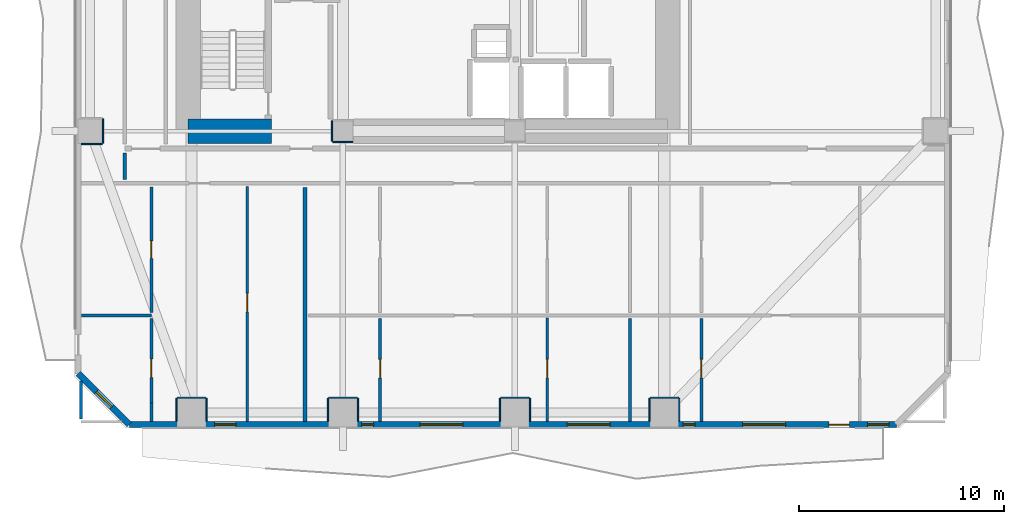
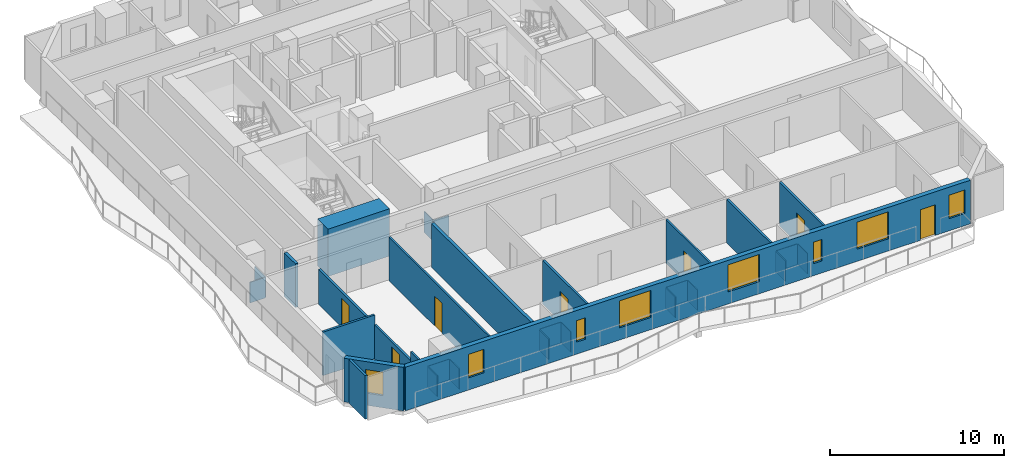
# One storey, part 2 of 10: 31 walls, 8 windows, 7 doors, 15 openings.
"""IFC4 building model written with IfcOpenShell, lengths in metres."""

from ifc_helpers import new_model, si_unit, direction, frame, frame_2d, origin, place, context, subcontext, project, spatial, rectangle, extrude, material, layer, layer_set, type_object, element, fill, save


model = new_model("IFC4")

# Units and contexts
model_context = context("Model", 3, precision=1e-05, world=origin(), true_north=direction((0.0, 1.0)))
body_context = subcontext(model_context, "Body", "Model", "MODEL_VIEW")
ifc_project = project(units=[si_unit("LENGTHUNIT", "METRE"), si_unit("AREAUNIT", "SQUARE_METRE"), si_unit("VOLUMEUNIT", "CUBIC_METRE"), si_unit("PLANEANGLEUNIT", "RADIAN"), si_unit("MASSUNIT", "GRAM", prefix="KILO")], contexts=[model_context])

# Site, building, storey
site_placement = place(None, origin())
site = spatial("IfcSite", under=ifc_project, at=site_placement, CompositionType="ELEMENT")
building_placement = place(site_placement, origin())
building = spatial("IfcBuilding", under=site, at=building_placement, Name="Solanera Arch Residences", CompositionType="ELEMENT")
storey_placement = place(building_placement, frame((0.0, 0.0, 51.8798828125)))
storey = spatial("IfcBuildingStorey", under=building, at=storey_placement, Name="L14", CompositionType="ELEMENT", Elevation=51.8798828125)

# Walls
ifc_material_1 = material(Name="Fire-Rated Gypsum Stud Partition", Category="gypsum")
ifc_layer_1 = layer(ifc_material_1, 0.06005859375)
ifc_layer_set_1 = layer_set([ifc_layer_1], Name="Fire-Rated Gypsum Stud Partition")
wall_type_1 = type_object("IfcWallType", Name="Column Acoustic Furring Wall 60", PredefinedType="PARTITIONING", material=ifc_layer_set_1)
wall_1_placement = place(storey_placement, frame((20.300048828125, 21.468017578125, 0.0), z_axis=(0.0, 0.0, 1.0), x_axis=(1.0, 0.0, 0.0)))
element("IfcWall", 1, at=wall_1_placement, inside=storey, type_object=wall_type_1, Name="L14 Column Furring 1S", PredefinedType="PARTITIONING", context=body_context, shape_type="SweptSolid", body=[
    extrude(rectangle(XDim=0.989990234375, YDim=0.06005859375, at=frame_2d((0.4951171875, 0.0))), origin(), (0.0, 0.0, 1.0), 1.4501953125),
])
wall_2_placement = place(storey_placement, frame((20.26806640625, 21.5, 0.0), z_axis=(0.0, 0.0, 1.0), x_axis=(0.0, 1.0, 0.0)))
element("IfcWall", 2, at=wall_2_placement, inside=storey, type_object=wall_type_1, Name="L14 Column Furring 1W", PredefinedType="PARTITIONING", context=body_context, shape_type="SweptSolid", body=[
    extrude(rectangle(XDim=1.0, YDim=0.06005859375, at=frame_2d((0.5, 0.0))), origin(), (0.0, 0.0, 1.0), 1.4501953125),
])
wall_3_placement = place(storey_placement, frame((12.699951171875, 8.98193359375, 0.0), z_axis=(0.0, 0.0, 1.0), x_axis=(1.0, 0.0, 0.0)))
element("IfcWall", 3, at=wall_3_placement, inside=storey, type_object=wall_type_1, Name="L14 Column Furring 9N", PredefinedType="PARTITIONING", context=body_context, shape_type="SweptSolid", body=[
    extrude(rectangle(XDim=1.400146484375, YDim=0.06005859375, at=frame_2d((0.7001953125, 0.0))), origin(), (0.0, 0.0, 1.0), 1.4501953125),
])
for number, where, z_axis, x_axis, name in (
    (4, (12.66796875, 7.830078125, 0.0), (0.0, 0.0, 1.0), (0.0, 1.0, 0.0), "L14 Column Furring 9W"),
    (5, (14.132080078125, 7.830078125, 0.0), (0.0, 0.0, 1.0), (0.0, 1.0, 0.0), "L14 Column Furring 9E"),
):
    element("IfcWall", number, at=place(storey_placement, frame(where, z_axis=z_axis, x_axis=x_axis)), inside=storey, type_object=wall_type_1, Name=name, PredefinedType="PARTITIONING", context=body_context, shape_type="SweptSolid", body=[
        extrude(rectangle(XDim=1.119873046875, YDim=0.06005859375, at=frame_2d((0.56005859375, 0.0))), origin(), (0.0, 0.0, 1.0), 1.4501953125),
    ])
wall_4_placement = place(storey_placement, frame((20.10009765625, 8.98193359375, 0.0), z_axis=(0.0, 0.0, 1.0), x_axis=(1.0, 0.0, 0.0)))
element("IfcWall", 6, at=wall_4_placement, inside=storey, type_object=wall_type_1, Name="L14 Column Furring 11N", PredefinedType="PARTITIONING", context=body_context, shape_type="SweptSolid", body=[
    extrude(rectangle(XDim=1.39990234375, YDim=0.06005859375, at=frame_2d((0.699951171875, 0.0))), origin(), (0.0, 0.0, 1.0), 1.4501953125),
])
for number, where, z_axis, x_axis, name in (
    (7, (20.068115234375, 7.830078125, 0.0), (0.0, 0.0, 1.0), (0.0, 1.0, 0.0), "L14 Column Furring 11W"),
    (8, (21.531982421875, 7.830078125, 0.0), (0.0, 0.0, 1.0), (0.0, 1.0, 0.0), "L14 Column Furring 11E"),
):
    element("IfcWall", number, at=place(storey_placement, frame(where, z_axis=z_axis, x_axis=x_axis)), inside=storey, type_object=wall_type_1, Name=name, PredefinedType="PARTITIONING", context=body_context, shape_type="SweptSolid", body=[
        extrude(rectangle(XDim=1.119873046875, YDim=0.06005859375, at=frame_2d((0.56005859375, 0.0))), origin(), (0.0, 0.0, 1.0), 1.4501953125),
    ])
wall_5_placement = place(storey_placement, frame((28.5, 8.98193359375, 0.0), z_axis=(0.0, 0.0, 1.0), x_axis=(1.0, 0.0, 0.0)))
element("IfcWall", 9, at=wall_5_placement, inside=storey, type_object=wall_type_1, Name="L14 Column Furring 13N", PredefinedType="PARTITIONING", context=body_context, shape_type="SweptSolid", body=[
    extrude(rectangle(XDim=1.39990234375, YDim=0.06005859375, at=frame_2d((0.699951171875, 0.0))), origin(), (0.0, 0.0, 1.0), 1.4501953125),
])
for number, where, z_axis, x_axis, name in (
    (10, (28.468017578125, 7.830078125, 0.0), (0.0, 0.0, 1.0), (0.0, 1.0, 0.0), "L14 Column Furring 13W"),
    (11, (29.931884765625, 7.830078125, 0.0), (0.0, 0.0, 1.0), (0.0, 1.0, 0.0), "L14 Column Furring 13E"),
):
    element("IfcWall", number, at=place(storey_placement, frame(where, z_axis=z_axis, x_axis=x_axis)), inside=storey, type_object=wall_type_1, Name=name, PredefinedType="PARTITIONING", context=body_context, shape_type="SweptSolid", body=[
        extrude(rectangle(XDim=1.119873046875, YDim=0.06005859375, at=frame_2d((0.56005859375, 0.0))), origin(), (0.0, 0.0, 1.0), 1.4501953125),
    ])
wall_6_placement = place(storey_placement, frame((35.800048828125, 8.98193359375, 0.0), z_axis=(0.0, 0.0, 1.0), x_axis=(1.0, 0.0, 0.0)))
element("IfcWall", 12, at=wall_6_placement, inside=storey, type_object=wall_type_1, Name="L14 Column Furring 15N", PredefinedType="PARTITIONING", context=body_context, shape_type="SweptSolid", body=[
    extrude(rectangle(XDim=1.39990234375, YDim=0.06005859375, at=frame_2d((0.699951171875, 0.0))), origin(), (0.0, 0.0, 1.0), 1.4501953125),
])
for number, where, z_axis, x_axis, name in (
    (13, (35.76806640625, 7.830078125, 0.0), (0.0, 0.0, 1.0), (0.0, 1.0, 0.0), "L14 Column Furring 15W"),
    (14, (37.23193359375, 7.830078125, 0.0), (0.0, 0.0, 1.0), (0.0, 1.0, 0.0), "L14 Column Furring 15E"),
):
    element("IfcWall", number, at=place(storey_placement, frame(where, z_axis=z_axis, x_axis=x_axis)), inside=storey, type_object=wall_type_1, Name=name, PredefinedType="PARTITIONING", context=body_context, shape_type="SweptSolid", body=[
        extrude(rectangle(XDim=1.119873046875, YDim=0.06005859375, at=frame_2d((0.56005859375, 0.0))), origin(), (0.0, 0.0, 1.0), 1.4501953125),
    ])
wall_7_placement = place(storey_placement, frame((8.030029296875, 21.367919921875, 0.0), z_axis=(0.0, 0.0, 1.0), x_axis=(1.0, 0.0, 0.0)))
element("IfcWall", 15, at=wall_7_placement, inside=storey, type_object=wall_type_1, Name="L14 Column Furring 17S", PredefinedType="PARTITIONING", context=body_context, shape_type="SweptSolid", body=[
    extrude(rectangle(XDim=1.02001953125, YDim=0.06005859375, at=frame_2d((0.510009765625, 0.0))), origin(), (0.0, 0.0, 1.0), 1.4501953125),
])
wall_8_placement = place(storey_placement, frame((9.08203125, 21.39990234375, 0.0), z_axis=(0.0, 0.0, 1.0), x_axis=(0.0, 1.0, 0.0)))
element("IfcWall", 16, at=wall_8_placement, inside=storey, type_object=wall_type_1, Name="L14 Column Furring 17E", PredefinedType="PARTITIONING", context=body_context, shape_type="SweptSolid", body=[
    extrude(rectangle(XDim=1.2001953125, YDim=0.06005859375, at=frame_2d((0.60009765625, 0.0))), origin(), (0.0, 0.0, 1.0), 1.4501953125),
])
ifc_material_2 = material(Name="Concrete C55/67 (f'c = 60 MPa)", Category="concrete")
ifc_layer_2 = layer(ifc_material_2, 1.199951171875)
ifc_layer_set_2 = layer_set([ifc_layer_2], Name="Concrete C55/67 (f'c = 60 MPa)")
wall_type_2 = type_object("IfcWallType", Name="Core Shear Wall CW-1200", PredefinedType="SHEAR", material=ifc_layer_set_2)
wall_9_placement = place(storey_placement, frame((13.239990234375, 22.0, 0.0), z_axis=(0.0, 0.0, 1.0), x_axis=(1.0, 0.0, 0.0)))
element("IfcWall", 17, at=wall_9_placement, inside=storey, type_object=wall_type_2, Name="L14 South-West Core Shear Wall", PredefinedType="SHEAR", context=body_context, shape_type="SweptSolid", body=[
    extrude(rectangle(XDim=4.080078125, YDim=1.199951171875, at=frame_2d((2.0400390625, 0.0))), origin(), (0.0, 0.0, 1.0), 3.320068359375),
])
ifc_material_3 = material(Name="Autoclaved Aerated Concrete Blockwork", Category="masonry")
ifc_layer_3 = layer(ifc_material_3, 0.179931640625)
ifc_layer_set_3 = layer_set([ifc_layer_3], Name="Autoclaved Aerated Concrete Blockwork")
wall_type_3 = type_object("IfcWallType", Name="Corridor Fire Partition 180", PredefinedType="PARTITIONING", material=ifc_layer_set_3)
wall_10_placement = place(storey_placement, frame((10.14990234375, 19.637939453125, 0.0), z_axis=(0.0, 0.0, 1.0), x_axis=(0.0, 1.0, 0.0)))
element("IfcWall", 18, at=wall_10_placement, inside=storey, type_object=wall_type_3, Name="L14 Interior Partition V9 1", PredefinedType="PARTITIONING", context=body_context, shape_type="SweptSolid", body=[
    extrude(rectangle(XDim=1.2939453125, YDim=0.179931640625, at=frame_2d((0.64697265625, 0.0))), origin(), (0.0, 0.0, 1.0), 3.06005859375),
])

# Wall, openings, door, windows
ifc_material_4 = material(Name="Precast Concrete C35/45", Category="concrete")
ifc_layer_4 = layer(ifc_material_4, 0.300048828125)
ifc_layer_set_4 = layer_set([ifc_layer_4], Name="Precast Concrete C35/45")
wall_type_4 = type_object("IfcWallType", Name="Exterior Wall Precast Masonry-Frame 300", PredefinedType="STANDARD", material=ifc_layer_set_4)
wall_11_placement = place(storey_placement, frame((47.8349609375, 7.6650390625, 0.0), z_axis=(0.0, 0.0, 1.0), x_axis=(-1.0, 0.0, 0.0)))
wall_11 = element("IfcWall", 19, at=wall_11_placement, inside=storey, type_object=wall_type_4, Name="L14 Tower Exterior Precast Masonry-Frame Wall S", PredefinedType="STANDARD", context=body_context, shape_type="SweptSolid", body=[
    extrude(rectangle(XDim=37.469970703125, YDim=0.300048828125, at=frame_2d((18.73486328125, 0.0))), origin(), (0.0, 0.0, 1.0), 3.06005859375),
])
opening_1_placement = place(wall_11_placement, frame((2.301025390625, 0.0, 0.0)))
opening_1 = element("IfcOpeningElement", 20, at=opening_1_placement, cuts=wall_11, Name="Opening DB-01", PredefinedType="OPENING", context=body_context, shape_type="SweptSolid", body=[
    extrude(rectangle(XDim=1.0, YDim=2.14990234375, at=frame_2d((0.5, 1.074951171875))), frame((0.0, 0.159912109375, 0.0), z_axis=(0.0, -1.0, 0.0), x_axis=(1.0, 0.0, 0.0)), (0.0, 0.0, 1.0), 0.32),
])
opening_2_placement = place(wall_11_placement, frame((32.2509765625, 0.0, 0.85009765625)))
opening_2 = element("IfcOpeningElement", 21, at=opening_2_placement, cuts=wall_11, Name="Opening W-07", PredefinedType="OPENING", context=body_context, shape_type="SweptSolid", body=[
    extrude(rectangle(XDim=1.050048828125, YDim=1.64990234375, at=frame_2d((0.52490234375, 0.824951171875))), frame((0.0, 0.159912109375, 0.0), z_axis=(0.0, -1.0, 0.0), x_axis=(1.0, 0.0, 0.0)), (0.0, 0.0, 1.0), 0.32),
])
opening_3_placement = place(wall_11_placement, frame((21.178955078125, 0.0, 0.85009765625)))
opening_3 = element("IfcOpeningElement", 22, at=opening_3_placement, cuts=wall_11, Name="Opening W-04", PredefinedType="OPENING", context=body_context, shape_type="SweptSolid", body=[
    extrude(rectangle(XDim=2.10009765625, YDim=1.89990234375, at=frame_2d((1.050048828125, 0.949951171875))), frame((0.0, 0.159912109375, 0.0), z_axis=(0.0, -1.0, 0.0), x_axis=(1.0, 0.0, 0.0)), (0.0, 0.0, 1.0), 0.32),
])
opening_4_placement = place(wall_11_placement, frame((25.5390625, 0.0, 0.85009765625)))
opening_4 = element("IfcOpeningElement", 23, at=opening_4_placement, cuts=wall_11, Name="Opening W-14", PredefinedType="OPENING", context=body_context, shape_type="SweptSolid", body=[
    extrude(rectangle(XDim=0.580078125, YDim=1.5, at=frame_2d((0.2900390625, 0.75))), frame((0.0, 0.159912109375, 0.0), z_axis=(0.0, -1.0, 0.0), x_axis=(1.0, 0.0, 0.0)), (0.0, 0.0, 1.0), 0.32),
])
opening_5_placement = place(wall_11_placement, frame((13.985107421875, 0.0, 0.85009765625)))
opening_5 = element("IfcOpeningElement", 24, at=opening_5_placement, cuts=wall_11, Name="Opening W-04", PredefinedType="OPENING", context=body_context, shape_type="SweptSolid", body=[
    extrude(rectangle(XDim=2.10009765625, YDim=1.89990234375, at=frame_2d((1.050048828125, 0.949951171875))), frame((0.0, 0.159912109375, 0.0), z_axis=(0.0, -1.0, 0.0), x_axis=(1.0, 0.0, 0.0)), (0.0, 0.0, 1.0), 0.32),
])
opening_6_placement = place(wall_11_placement, frame((5.412109375, 0.0, 0.85009765625)))
opening_6 = element("IfcOpeningElement", 25, at=opening_6_placement, cuts=wall_11, Name="Opening W-04", PredefinedType="OPENING", context=body_context, shape_type="SweptSolid", body=[
    extrude(rectangle(XDim=2.10009765625, YDim=1.89990234375, at=frame_2d((1.050048828125, 0.949951171875))), frame((0.0, 0.159912109375, 0.0), z_axis=(0.0, -1.0, 0.0), x_axis=(1.0, 0.0, 0.0)), (0.0, 0.0, 1.0), 0.32),
])
opening_7_placement = place(wall_11_placement, frame((9.839111328125, 0.0, 0.85009765625)))
opening_7 = element("IfcOpeningElement", 26, at=opening_7_placement, cuts=wall_11, Name="Opening W-14", PredefinedType="OPENING", context=body_context, shape_type="SweptSolid", body=[
    extrude(rectangle(XDim=0.580078125, YDim=1.5, at=frame_2d((0.2900390625, 0.75))), frame((0.0, 0.159912109375, 0.0), z_axis=(0.0, -1.0, 0.0), x_axis=(1.0, 0.0, 0.0)), (0.0, 0.0, 1.0), 0.32),
])
opening_8_placement = place(wall_11_placement, frame((0.364013671875, 0.0, 0.85009765625)))
opening_8 = element("IfcOpeningElement", 27, at=opening_8_placement, cuts=wall_11, Name="Opening W-07", PredefinedType="OPENING", context=body_context, shape_type="SweptSolid", body=[
    extrude(rectangle(XDim=1.050048828125, YDim=1.64990234375, at=frame_2d((0.52490234375, 0.824951171875))), frame((0.0, 0.159912109375, 0.0), z_axis=(0.0, -1.0, 0.0), x_axis=(1.0, 0.0, 0.0)), (0.0, 0.0, 1.0), 0.32),
])
ifc_material_5 = material(Name="Anodised Aluminium Alloy 6063-T6", Category="aluminium")
door_type_1 = type_object("IfcDoorType", Name="Glazed Balcony Swing Door DB-01", OperationType="NOTDEFINED", PredefinedType="DOOR", material=ifc_material_5)
door_1_placement = place(opening_1_placement, origin())
door_1 = element("IfcDoor", 28, at=door_1_placement, inside=storey, type_object=door_type_1, Name="DR-L14-OUT-01", OperationType="SINGLE_SWING_RIGHT", OverallHeight=2.14990234375, OverallWidth=1.0, PredefinedType="DOOR", context=body_context, shape_type="SweptSolid", body=[
    extrude(rectangle(XDim=1.0, YDim=2.14990234375, at=frame_2d((0.5, 1.074951171875))), frame((0.0, 0.02490234375, 0.0), z_axis=(0.0, -1.0, 0.0), x_axis=(1.0, 0.0, 0.0)), (0.0, 0.0, 1.0), 0.050048828125),
])
fill(opening_1, door_1)
ifc_material_6 = material(Name="Double Glazed Low-E Laminated Glass", Category="glass")
window_type_1 = type_object("IfcWindowType", Name="Punched Window W-04", PartitioningType="DOUBLE_PANEL_VERTICAL", PredefinedType="WINDOW", material=ifc_material_6)
window_1_placement = place(opening_3_placement, origin())
window_1 = element("IfcWindow", 29, at=window_1_placement, inside=storey, type_object=window_type_1, Name="L14 1402-LIV Punched Window", OverallHeight=1.89990234375, OverallWidth=2.10009765625, PartitioningType="SINGLE_PANEL", PredefinedType="WINDOW", context=body_context, shape_type="SweptSolid", body=[
    extrude(rectangle(XDim=2.10009765625, YDim=1.89990234375, at=frame_2d((1.050048828125, 0.949951171875))), frame((0.0, 0.030029296875, 0.0), z_axis=(0.0, -1.0, 0.0), x_axis=(1.0, 0.0, 0.0)), (0.0, 0.0, 1.0), 0.06005859375),
])
fill(opening_3, window_1)
window_2_placement = place(opening_5_placement, origin())
window_2 = element("IfcWindow", 30, at=window_2_placement, inside=storey, type_object=window_type_1, Name="L14 1402-BR2 Punched Window", OverallHeight=1.89990234375, OverallWidth=2.10009765625, PartitioningType="SINGLE_PANEL", PredefinedType="WINDOW", context=body_context, shape_type="SweptSolid", body=[
    extrude(rectangle(XDim=2.10009765625, YDim=1.89990234375, at=frame_2d((1.050048828125, 0.949951171875))), frame((0.0, 0.030029296875, 0.0), z_axis=(0.0, -1.0, 0.0), x_axis=(1.0, 0.0, 0.0)), (0.0, 0.0, 1.0), 0.06005859375),
])
fill(opening_5, window_2)
window_3_placement = place(opening_6_placement, origin())
window_3 = element("IfcWindow", 31, at=window_3_placement, inside=storey, type_object=window_type_1, Name="L14 1403-LIV Punched Window", OverallHeight=1.89990234375, OverallWidth=2.10009765625, PartitioningType="SINGLE_PANEL", PredefinedType="WINDOW", context=body_context, shape_type="SweptSolid", body=[
    extrude(rectangle(XDim=2.10009765625, YDim=1.89990234375, at=frame_2d((1.050048828125, 0.949951171875))), frame((0.0, 0.030029296875, 0.0), z_axis=(0.0, -1.0, 0.0), x_axis=(1.0, 0.0, 0.0)), (0.0, 0.0, 1.0), 0.06005859375),
])
fill(opening_6, window_3)
ifc_material_7 = material(Name="Double Glazed Low-E Laminated Glass", Category="glass")
window_type_2 = type_object("IfcWindowType", Name="Punched Window W-07", PartitioningType="SINGLE_PANEL", PredefinedType="WINDOW", material=ifc_material_7)
window_4_placement = place(opening_2_placement, origin())
window_4 = element("IfcWindow", 32, at=window_4_placement, inside=storey, type_object=window_type_2, Name="L14 1401-LIV Punched Window", OverallHeight=1.64990234375, OverallWidth=1.050048828125, PartitioningType="SINGLE_PANEL", PredefinedType="WINDOW", context=body_context, shape_type="SweptSolid", body=[
    extrude(rectangle(XDim=1.050048828125, YDim=1.64990234375, at=frame_2d((0.52490234375, 0.824951171875))), frame((0.0, 0.030029296875, 0.0), z_axis=(0.0, -1.0, 0.0), x_axis=(1.0, 0.0, 0.0)), (0.0, 0.0, 1.0), 0.06005859375),
])
fill(opening_2, window_4)
window_5_placement = place(opening_8_placement, origin())
window_5 = element("IfcWindow", 33, at=window_5_placement, inside=storey, type_object=window_type_2, Name="L14 1403-STD Punched Window", OverallHeight=1.64990234375, OverallWidth=1.050048828125, PartitioningType="SINGLE_PANEL", PredefinedType="WINDOW", context=body_context, shape_type="SweptSolid", body=[
    extrude(rectangle(XDim=1.050048828125, YDim=1.64990234375, at=frame_2d((0.52490234375, 0.824951171875))), frame((0.0, 0.030029296875, 0.0), z_axis=(0.0, -1.0, 0.0), x_axis=(1.0, 0.0, 0.0)), (0.0, 0.0, 1.0), 0.06005859375),
])
fill(opening_8, window_5)
ifc_material_8 = material(Name="Double Glazed Low-E Laminated Glass", Category="glass")
window_type_3 = type_object("IfcWindowType", Name="Punched Window W-14", PartitioningType="SINGLE_PANEL", PredefinedType="WINDOW", material=ifc_material_8)
window_6_placement = place(opening_4_placement, origin())
window_6 = element("IfcWindow", 34, at=window_6_placement, inside=storey, type_object=window_type_3, Name="L14 1402-BR1 Punched Window", OverallHeight=1.5, OverallWidth=0.580078125, PartitioningType="SINGLE_PANEL", PredefinedType="WINDOW", context=body_context, shape_type="SweptSolid", body=[
    extrude(rectangle(XDim=0.580078125, YDim=1.5, at=frame_2d((0.2900390625, 0.75))), frame((0.0, 0.030029296875, 0.0), z_axis=(0.0, -1.0, 0.0), x_axis=(1.0, 0.0, 0.0)), (0.0, 0.0, 1.0), 0.06005859375),
])
fill(opening_4, window_6)
window_7_placement = place(opening_7_placement, origin())
window_7 = element("IfcWindow", 35, at=window_7_placement, inside=storey, type_object=window_type_3, Name="L14 1403-BR1 Punched Window", OverallHeight=1.5, OverallWidth=0.580078125, PartitioningType="SINGLE_PANEL", PredefinedType="WINDOW", context=body_context, shape_type="SweptSolid", body=[
    extrude(rectangle(XDim=0.580078125, YDim=1.5, at=frame_2d((0.2900390625, 0.75))), frame((0.0, 0.030029296875, 0.0), z_axis=(0.0, -1.0, 0.0), x_axis=(1.0, 0.0, 0.0)), (0.0, 0.0, 1.0), 0.06005859375),
])
fill(opening_7, window_7)

# Wall, opening, window
wall_12_placement = place(storey_placement, frame((10.364990234375, 7.6650390625, 0.0), z_axis=(0.0, 0.0, 1.0), x_axis=(-0.707106781187, 0.707106781187, 0.0)))
wall_12 = element("IfcWall", 36, at=wall_12_placement, inside=storey, type_object=wall_type_4, Name="L14 Tower Exterior Precast Masonry-Frame Wall CH7", PredefinedType="STANDARD", context=body_context, shape_type="SweptSolid", body=[
    extrude(rectangle(XDim=3.53564453125, YDim=0.300048828125, at=frame_2d((1.767822265625, 0.0))), origin(), (0.0, 0.0, 1.0), 3.06005859375),
])
opening_9_placement = place(wall_12_placement, frame((1.219970703125, 0.0, 0.85009765625)))
opening_9 = element("IfcOpeningElement", 37, at=opening_9_placement, cuts=wall_12, Name="Opening W-07", PredefinedType="OPENING", context=body_context, shape_type="SweptSolid", body=[
    extrude(rectangle(XDim=1.050048828125, YDim=1.64990234375, at=frame_2d((0.52490234375, 0.824951171875))), frame((0.0, 0.159912109375, 0.0), z_axis=(0.0, -1.0, 0.0), x_axis=(1.0, 0.0, 0.0)), (0.0, 0.0, 1.0), 0.32),
])
window_8_placement = place(opening_9_placement, origin())
window_8 = element("IfcWindow", 38, at=window_8_placement, inside=storey, type_object=window_type_2, Name="L14 1401-BR1 Corner Punched Window", OverallHeight=1.64990234375, OverallWidth=1.050048828125, PartitioningType="SINGLE_PANEL", PredefinedType="WINDOW", context=body_context, shape_type="SweptSolid", body=[
    extrude(rectangle(XDim=1.050048828125, YDim=1.64990234375, at=frame_2d((0.52490234375, 0.824951171875))), frame((0.0, 0.030029296875, 0.0), z_axis=(0.0, -1.0, 0.0), x_axis=(1.0, 0.0, 0.0)), (0.0, 0.0, 1.0), 0.06005859375),
])
fill(opening_9, window_8)

# Wall
ifc_material_9 = material(Name="Autoclaved Aerated Concrete Blockwork", Category="masonry")
ifc_layer_5 = layer(ifc_material_9, 0.199951171875)
ifc_layer_set_5 = layer_set([ifc_layer_5], Name="Autoclaved Aerated Concrete Blockwork")
wall_type_5 = type_object("IfcWallType", Name="Party Wall Acoustic 200", PredefinedType="PARTITIONING", material=ifc_layer_set_5)
wall_13_placement = place(storey_placement, frame((18.949951171875, 7.826904296875, 0.0), z_axis=(0.0, 0.0, 1.0), x_axis=(0.0, 1.0, 0.0)))
element("IfcWall", 39, at=wall_13_placement, inside=storey, type_object=wall_type_5, Name="L14 Interior Partition V6", PredefinedType="PARTITIONING", context=body_context, shape_type="SweptSolid", body=[
    extrude(rectangle(XDim=11.425048828125, YDim=0.199951171875, at=frame_2d((5.71240234375, 0.0))), origin(), (0.0, 0.0, 1.0), 3.06005859375),
])

# Wall, opening, door
ifc_material_10 = material(Name="Fire-Rated Gypsum Stud Partition", Category="gypsum")
ifc_layer_6 = layer(ifc_material_10, 0.1201171875)
ifc_layer_set_6 = layer_set([ifc_layer_6], Name="Fire-Rated Gypsum Stud Partition")
wall_type_6 = type_object("IfcWallType", Name="Unit Drywall Partition 120", PredefinedType="PARTITIONING", material=ifc_layer_set_6)
wall_14_placement = place(storey_placement, frame((16.117919921875, 7.826904296875, 0.0), z_axis=(0.0, 0.0, 1.0), x_axis=(0.0, 1.0, 0.0)))
wall_14 = element("IfcWall", 40, at=wall_14_placement, inside=storey, type_object=wall_type_6, Name="L14 Interior Partition V24", PredefinedType="PARTITIONING", context=body_context, shape_type="SweptSolid", body=[
    extrude(rectangle(XDim=11.465087890625, YDim=0.1201171875, at=frame_2d((5.732421875, 0.0))), origin(), (0.0, 0.0, 1.0), 3.06005859375),
])
opening_10_placement = place(wall_14_placement, frame((5.347900390625, 0.0, 0.0)))
opening_10 = element("IfcOpeningElement", 41, at=opening_10_placement, cuts=wall_14, Name="Opening DI-02", PredefinedType="OPENING", context=body_context, shape_type="SweptSolid", body=[
    extrude(rectangle(XDim=0.89990234375, YDim=2.10009765625, at=frame_2d((0.449951171875, 1.050048828125))), frame((0.0, 0.070068359375, 0.0), z_axis=(0.0, -1.0, 0.0), x_axis=(1.0, 0.0, 0.0)), (0.0, 0.0, 1.0), 0.1401),
])
ifc_material_11 = material(Name="Fire-Rated Architectural Hardwood", Category="wood")
door_type_2 = type_object("IfcDoorType", Name="Suite Room Swing Door DI-02", OperationType="NOTDEFINED", PredefinedType="DOOR", material=ifc_material_11)
door_2_placement = place(opening_10_placement, origin())
door_2 = element("IfcDoor", 42, at=door_2_placement, inside=storey, type_object=door_type_2, Name="DR-L14-IN-018", OperationType="SINGLE_SWING_LEFT", OverallHeight=2.10009765625, OverallWidth=0.89990234375, PredefinedType="DOOR", context=body_context, shape_type="SweptSolid", body=[
    extrude(rectangle(XDim=0.89990234375, YDim=2.10009765625, at=frame_2d((0.449951171875, 1.050048828125))), frame((0.0, 0.02490234375, 0.0), z_axis=(0.0, -1.0, 0.0), x_axis=(1.0, 0.0, 0.0)), (0.0, 0.0, 1.0), 0.050048828125),
])
fill(opening_10, door_2)

wall_15_placement = place(storey_placement, frame((30.780029296875, 7.826904296875, 0.0), z_axis=(0.0, 0.0, 1.0), x_axis=(0.0, 1.0, 0.0)))
wall_15 = element("IfcWall", 43, at=wall_15_placement, inside=storey, type_object=wall_type_6, Name="L14 Interior Partition V25 1", PredefinedType="PARTITIONING", context=body_context, shape_type="SweptSolid", body=[
    extrude(rectangle(XDim=5.03515625, YDim=0.1201171875, at=frame_2d((2.517578125, 0.0))), origin(), (0.0, 0.0, 1.0), 3.06005859375),
])
opening_11_placement = place(wall_15_placement, frame((2.123046875, 0.0, 0.0)))
opening_11 = element("IfcOpeningElement", 44, at=opening_11_placement, cuts=wall_15, Name="Opening DI-03", PredefinedType="OPENING", context=body_context, shape_type="SweptSolid", body=[
    extrude(rectangle(XDim=0.89990234375, YDim=2.10009765625, at=frame_2d((0.449951171875, 1.050048828125))), frame((0.0, 0.070068359375, 0.0), z_axis=(0.0, -1.0, 0.0), x_axis=(1.0, 0.0, 0.0)), (0.0, 0.0, 1.0), 0.1401),
])
ifc_material_12 = material(Name="Fire-Rated Architectural Hardwood", Category="wood")
door_type_3 = type_object("IfcDoorType", Name="Bedroom Swing Door DI-03", OperationType="NOTDEFINED", PredefinedType="DOOR", material=ifc_material_12)
door_3_placement = place(opening_11_placement, origin())
door_3 = element("IfcDoor", 45, at=door_3_placement, inside=storey, type_object=door_type_3, Name="DR-L14-IN-024", OperationType="SINGLE_SWING_LEFT", OverallHeight=2.10009765625, OverallWidth=0.89990234375, PredefinedType="DOOR", context=body_context, shape_type="SweptSolid", body=[
    extrude(rectangle(XDim=0.89990234375, YDim=2.10009765625, at=frame_2d((0.449951171875, 1.050048828125))), frame((0.0, 0.02490234375, 0.0), z_axis=(0.0, -1.0, 0.0), x_axis=(1.0, 0.0, 0.0)), (0.0, 0.0, 1.0), 0.050048828125),
])
fill(opening_11, door_3)

# Walls
ifc_material_13 = material(Name="Autoclaved Aerated Concrete Blockwork", Category="masonry")
ifc_layer_7 = layer(ifc_material_13, 0.139892578125)
ifc_layer_set_7 = layer_set([ifc_layer_7], Name="Autoclaved Aerated Concrete Blockwork")
wall_type_7 = type_object("IfcWallType", Name="Wet-Room Partition 140", PredefinedType="PARTITIONING", material=ifc_layer_set_7)
wall_16_placement = place(storey_placement, frame((8.027099609375, 13.0, 0.0), z_axis=(0.0, 0.0, 1.0), x_axis=(1.0, 0.0, 0.0)))
element("IfcWall", 46, at=wall_16_placement, inside=storey, type_object=wall_type_7, Name="L14 Interior Partition H13", PredefinedType="PARTITIONING", context=body_context, shape_type="SweptSolid", body=[
    extrude(rectangle(XDim=3.419921875, YDim=0.139892578125, at=frame_2d((1.7099609375, 0.0))), origin(), (0.0, 0.0, 1.0), 3.06005859375),
])
wall_17_placement = place(storey_placement, frame((8.0, 7.93798828125, 0.0), z_axis=(0.0, 0.0, 1.0), x_axis=(0.0, 1.0, 0.0)))
element("IfcWall", 47, at=wall_17_placement, inside=storey, type_object=wall_type_7, Name="L14 Interior Partition V12", PredefinedType="PARTITIONING", context=body_context, shape_type="SweptSolid", body=[
    extrude(rectangle(XDim=1.863037109375, YDim=0.139892578125, at=frame_2d((0.931640625, 0.0))), origin(), (0.0, 0.0, 1.0), 3.06005859375),
])
wall_18_placement = place(storey_placement, frame((11.447021484375, 7.826904296875, 0.0), z_axis=(0.0, 0.0, 1.0), x_axis=(0.0, 1.0, 0.0)))
element("IfcWall", 48, at=wall_18_placement, inside=storey, type_object=wall_type_7, Name="L14 Interior Partition V14 1", PredefinedType="PARTITIONING", context=body_context, shape_type="SweptSolid", body=[
    extrude(rectangle(XDim=0.89111328125, YDim=0.139892578125, at=frame_2d((0.445556640625, 0.0))), origin(), (0.0, 0.0, 1.0), 3.06005859375),
])

# Wall, opening, door
wall_19_placement = place(storey_placement, frame((11.447021484375, 8.718017578125, 0.0), z_axis=(0.0, 0.0, 1.0), x_axis=(0.0, 1.0, 0.0)))
wall_19 = element("IfcWall", 49, at=wall_19_placement, inside=storey, type_object=wall_type_7, Name="L14 Interior Partition V14 2", PredefinedType="PARTITIONING", context=body_context, shape_type="SweptSolid", body=[
    extrude(rectangle(XDim=4.134033203125, YDim=0.139892578125, at=frame_2d((2.06689453125, 0.0))), origin(), (0.0, 0.0, 1.0), 2.445068359375),
])
opening_12_placement = place(wall_19_placement, frame((1.2451171875, 0.0, 0.0)))
opening_12 = element("IfcOpeningElement", 50, at=opening_12_placement, cuts=wall_19, Name="Opening DI-03", PredefinedType="OPENING", context=body_context, shape_type="SweptSolid", body=[
    extrude(rectangle(XDim=0.89990234375, YDim=2.10009765625, at=frame_2d((0.449951171875, 1.050048828125))), frame((0.0, 0.079833984375, 0.0), z_axis=(0.0, -1.0, 0.0), x_axis=(1.0, 0.0, 0.0)), (0.0, 0.0, 1.0), 0.1599),
])
door_4_placement = place(opening_12_placement, origin())
door_4 = element("IfcDoor", 51, at=door_4_placement, inside=storey, type_object=door_type_3, Name="DR-L14-IN-017", OperationType="SINGLE_SWING_RIGHT", OverallHeight=2.10009765625, OverallWidth=0.89990234375, PredefinedType="DOOR", context=body_context, shape_type="SweptSolid", body=[
    extrude(rectangle(XDim=0.89990234375, YDim=2.10009765625, at=frame_2d((0.449951171875, 1.050048828125))), frame((0.0, 0.02490234375, 0.0), z_axis=(0.0, -1.0, 0.0), x_axis=(1.0, 0.0, 0.0)), (0.0, 0.0, 1.0), 0.050048828125),
])
fill(opening_12, door_4)

wall_20_placement = place(storey_placement, frame((11.447021484375, 13.14794921875, 0.0), z_axis=(0.0, 0.0, 1.0), x_axis=(0.0, 1.0, 0.0)))
wall_20 = element("IfcWall", 52, at=wall_20_placement, inside=storey, type_object=wall_type_7, Name="L14 Interior Partition V14 3", PredefinedType="PARTITIONING", context=body_context, shape_type="SweptSolid", body=[
    extrude(rectangle(XDim=6.134033203125, YDim=0.139892578125, at=frame_2d((3.06689453125, 0.0))), origin(), (0.0, 0.0, 1.0), 2.445068359375),
])
opening_13_placement = place(wall_20_placement, frame((2.634033203125, 0.0, 0.0)))
opening_13 = element("IfcOpeningElement", 53, at=opening_13_placement, cuts=wall_20, Name="Opening DI-05", PredefinedType="OPENING", context=body_context, shape_type="SweptSolid", body=[
    extrude(rectangle(XDim=0.860107421875, YDim=2.02001953125, at=frame_2d((0.43017578125, 1.010009765625))), frame((0.0, 0.079833984375, 0.0), z_axis=(0.0, -1.0, 0.0), x_axis=(1.0, 0.0, 0.0)), (0.0, 0.0, 1.0), 0.1599),
])
ifc_material_14 = material(Name="Fire-Rated Architectural Hardwood", Category="wood")
door_type_4 = type_object("IfcDoorType", Name="Bathroom Swing Door DI-05", OperationType="NOTDEFINED", PredefinedType="DOOR", material=ifc_material_14)
door_5_placement = place(opening_13_placement, origin())
door_5 = element("IfcDoor", 54, at=door_5_placement, inside=storey, type_object=door_type_4, Name="DR-L14-IN-016", OperationType="SINGLE_SWING_LEFT", OverallHeight=2.02001953125, OverallWidth=0.860107421875, PredefinedType="DOOR", context=body_context, shape_type="SweptSolid", body=[
    extrude(rectangle(XDim=0.860107421875, YDim=2.02001953125, at=frame_2d((0.43017578125, 1.010009765625))), frame((0.0, 0.02490234375, 0.0), z_axis=(0.0, -1.0, 0.0), x_axis=(1.0, 0.0, 0.0)), (0.0, 0.0, 1.0), 0.050048828125),
])
fill(opening_13, door_5)

wall_21_placement = place(storey_placement, frame((22.612060546875, 7.826904296875, 0.0), z_axis=(0.0, 0.0, 1.0), x_axis=(0.0, 1.0, 0.0)))
wall_21 = element("IfcWall", 55, at=wall_21_placement, inside=storey, type_object=wall_type_7, Name="L14 Interior Partition V16 1", PredefinedType="PARTITIONING", context=body_context, shape_type="SweptSolid", body=[
    extrude(rectangle(XDim=5.025146484375, YDim=0.139892578125, at=frame_2d((2.5126953125, 0.0))), origin(), (0.0, 0.0, 1.0), 3.06005859375),
])
opening_14_placement = place(wall_21_placement, frame((2.123046875, 0.0, 0.0)))
opening_14 = element("IfcOpeningElement", 56, at=opening_14_placement, cuts=wall_21, Name="Opening DI-03", PredefinedType="OPENING", context=body_context, shape_type="SweptSolid", body=[
    extrude(rectangle(XDim=0.89990234375, YDim=2.10009765625, at=frame_2d((0.449951171875, 1.050048828125))), frame((0.0, 0.079833984375, 0.0), z_axis=(0.0, -1.0, 0.0), x_axis=(1.0, 0.0, 0.0)), (0.0, 0.0, 1.0), 0.1599),
])
door_6_placement = place(opening_14_placement, origin())
door_6 = element("IfcDoor", 57, at=door_6_placement, inside=storey, type_object=door_type_3, Name="DR-L14-IN-022", OperationType="SINGLE_SWING_LEFT", OverallHeight=2.10009765625, OverallWidth=0.89990234375, PredefinedType="DOOR", context=body_context, shape_type="SweptSolid", body=[
    extrude(rectangle(XDim=0.89990234375, YDim=2.10009765625, at=frame_2d((0.449951171875, 1.050048828125))), frame((0.0, 0.02490234375, 0.0), z_axis=(0.0, -1.0, 0.0), x_axis=(1.0, 0.0, 0.0)), (0.0, 0.0, 1.0), 0.050048828125),
])
fill(opening_14, door_6)

# Wall
wall_22_placement = place(storey_placement, frame((34.820068359375, 7.826904296875, 0.0), z_axis=(0.0, 0.0, 1.0), x_axis=(0.0, 1.0, 0.0)))
element("IfcWall", 58, at=wall_22_placement, inside=storey, type_object=wall_type_7, Name="L14 Interior Partition V19 1", PredefinedType="PARTITIONING", context=body_context, shape_type="SweptSolid", body=[
    extrude(rectangle(XDim=5.025146484375, YDim=0.139892578125, at=frame_2d((2.5126953125, 0.0))), origin(), (0.0, 0.0, 1.0), 3.06005859375),
])

# Wall, opening, door
wall_23_placement = place(storey_placement, frame((38.31201171875, 7.826904296875, 0.0), z_axis=(0.0, 0.0, 1.0), x_axis=(0.0, 1.0, 0.0)))
wall_23 = element("IfcWall", 59, at=wall_23_placement, inside=storey, type_object=wall_type_7, Name="L14 Interior Partition V22 1", PredefinedType="PARTITIONING", context=body_context, shape_type="SweptSolid", body=[
    extrude(rectangle(XDim=5.025146484375, YDim=0.139892578125, at=frame_2d((2.5126953125, 0.0))), origin(), (0.0, 0.0, 1.0), 3.06005859375),
])
opening_15_placement = place(wall_23_placement, frame((2.123046875, 0.0, 0.0)))
opening_15 = element("IfcOpeningElement", 60, at=opening_15_placement, cuts=wall_23, Name="Opening DI-03", PredefinedType="OPENING", context=body_context, shape_type="SweptSolid", body=[
    extrude(rectangle(XDim=0.89990234375, YDim=2.10009765625, at=frame_2d((0.449951171875, 1.050048828125))), frame((0.0, 0.079833984375, 0.0), z_axis=(0.0, -1.0, 0.0), x_axis=(1.0, 0.0, 0.0)), (0.0, 0.0, 1.0), 0.1599),
])
door_7_placement = place(opening_15_placement, origin())
door_7 = element("IfcDoor", 61, at=door_7_placement, inside=storey, type_object=door_type_3, Name="DR-L14-IN-028", OperationType="SINGLE_SWING_LEFT", OverallHeight=2.10009765625, OverallWidth=0.89990234375, PredefinedType="DOOR", context=body_context, shape_type="SweptSolid", body=[
    extrude(rectangle(XDim=0.89990234375, YDim=2.10009765625, at=frame_2d((0.449951171875, 1.050048828125))), frame((0.0, 0.02490234375, 0.0), z_axis=(0.0, -1.0, 0.0), x_axis=(1.0, 0.0, 0.0)), (0.0, 0.0, 1.0), 0.050048828125),
])
fill(opening_15, door_7)

save(model, "model.ifc")
